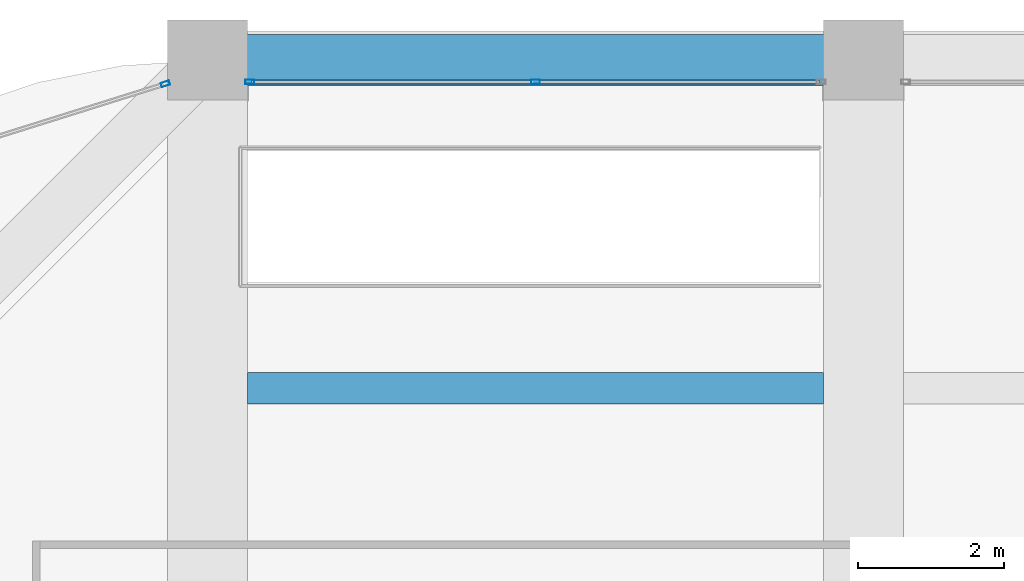
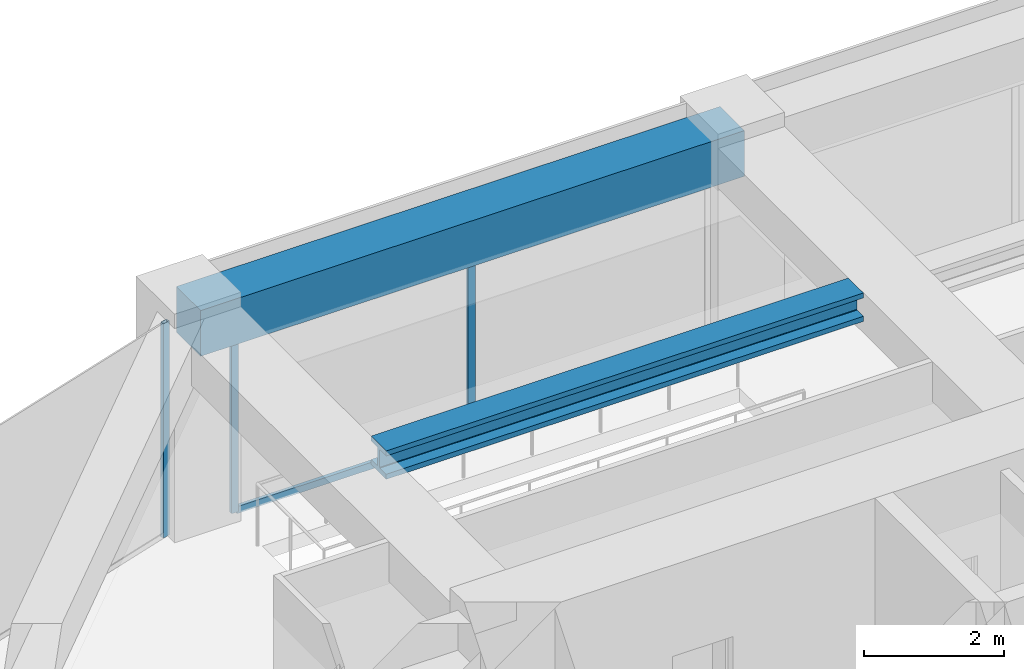
# One storey, part 31 of 44: 4 members, 2 beams, 2 elements without a shape of their own.
"""IFC4 building model written with IfcOpenShell, lengths in metres."""

from ifc_helpers import new_model, si_unit, direction, frame, origin, origin_2d, place, context, subcontext, project, spatial, rectangle, hollow_rectangle, i_section, extrude, material, material_profile, profile_set, type_object, element, aggregate, save


model = new_model("IFC4")

# Units and contexts
model_context = context("Model", 3, precision=1e-05, world=origin(), true_north=direction((0.0, 1.0)))
body_context = subcontext(model_context, "Body", "Model", "MODEL_VIEW")
ifc_project = project(units=[si_unit("LENGTHUNIT", "METRE"), si_unit("AREAUNIT", "SQUARE_METRE"), si_unit("VOLUMEUNIT", "CUBIC_METRE"), si_unit("PLANEANGLEUNIT", "RADIAN"), si_unit("MASSUNIT", "GRAM", prefix="KILO")], contexts=[model_context])

# Site, building, storey
site_placement = place(None, origin())
site = spatial("IfcSite", under=ifc_project, at=site_placement, CompositionType="ELEMENT")
building_placement = place(site_placement, origin())
building = spatial("IfcBuilding", under=site, at=building_placement, Name="Zorevar Civic Tower", CompositionType="ELEMENT")
storey_placement = place(building_placement, frame((0.0, 0.0, 275.39990234375)))
storey = spatial("IfcBuildingStorey", under=building, at=storey_placement, Name="L67", CompositionType="ELEMENT", Elevation=275.39990234375)

# Curtain wall, members
ifc_material_1 = material(Name="Dark grey solar-control glass in black aluminium frame", Category="aluminium")
curtain_wall_type = type_object("IfcCurtainWallType", Name="Curtain wall CW5 top zone", PredefinedType="NOTDEFINED", material=ifc_material_1)
curtain_wall_1_placement = place(storey_placement, origin())
curtain_wall_1 = element("IfcCurtainWall", 1, at=curtain_wall_1_placement, inside=storey, type_object=curtain_wall_type, Name="CW5 L67", PredefinedType="NOTDEFINED")
ifc_material_2 = material(Name="Aluminium, black anodised", Category="aluminium")
ifc_material_profile_1 = material_profile(ifc_material_2, hollow_rectangle(XDim=0.06005859375, YDim=0.1201171875, WallThickness=0.0029296875, at=origin_2d()), Name="AL 120x60x3")
ifc_profile_set_1 = profile_set([ifc_material_profile_1], Name="Aluminium, black anodised")
member_type_1 = type_object("IfcMemberType", Name="CW5 mullion AL 120x60x3", PredefinedType="MULLION", material=ifc_profile_set_1)
member_1_placement = place(storey_placement, frame((18.580078125, 44.699951171875, 0.0), z_axis=(0.0, 0.0, 1.0), x_axis=(0.0, 1.0, 0.0)))
member_1 = element("IfcMember", 2, at=member_1_placement, type_object=member_type_1, Name="CW5 mullion 1", PredefinedType="MULLION", context=body_context, shape_type="SweptSolid", body=[
    extrude(hollow_rectangle(XDim=0.06005859375, YDim=0.1201171875, WallThickness=0.0029296875, at=origin_2d()), origin(), (0.0, 0.0, 1.0), 2.9501953125),
])
member_2_placement = place(storey_placement, frame((22.5, 44.699951171875, 0.06005859375), z_axis=(0.0, 0.0, 1.0), x_axis=(0.0, 1.0, 0.0)))
member_2 = element("IfcMember", 3, at=member_2_placement, type_object=member_type_1, Name="CW5 mullion 2", PredefinedType="MULLION", context=body_context, shape_type="SweptSolid", body=[
    extrude(hollow_rectangle(XDim=0.06005859375, YDim=0.1201171875, WallThickness=0.0029296875, at=origin_2d()), origin(), (0.0, 0.0, 1.0), 2.89013671875),
])

# Curtain wall, member
curtain_wall_2_placement = place(storey_placement, origin())
curtain_wall_2 = element("IfcCurtainWall", 4, at=curtain_wall_2_placement, inside=storey, type_object=curtain_wall_type, Name="CW5 L67", PredefinedType="NOTDEFINED")
member_3_placement = place(storey_placement, frame((17.42138671875, 44.673583984375, 0.0), z_axis=(0.0, 0.0, 1.0), x_axis=(0.299317920238, -0.954153437674, 0.0)))
member_3 = element("IfcMember", 5, at=member_3_placement, type_object=member_type_1, Name="CW5 mullion 1", PredefinedType="MULLION", context=body_context, shape_type="SweptSolid", body=[
    extrude(hollow_rectangle(XDim=0.06005859375, YDim=0.1201171875, WallThickness=0.0029296875, at=origin_2d()), origin(), (0.0, 0.0, 1.0), 3.75),
])
aggregate(curtain_wall_2, [member_3])

# Member
ifc_material_3 = material(Name="Aluminium, black anodised", Category="aluminium")
ifc_material_profile_2 = material_profile(ifc_material_3, hollow_rectangle(XDim=0.06005859375, YDim=0.1201171875, WallThickness=0.0029296875, at=origin_2d()), Name="AL 120x60x3")
ifc_profile_set_2 = profile_set([ifc_material_profile_2], Name="Aluminium, black anodised")
member_type_2 = type_object("IfcMemberType", Name="CW5 transom AL 120x60x3", PredefinedType="USERDEFINED", material=ifc_profile_set_2)
member_4_placement = place(storey_placement, frame((18.610107421875, 44.699951171875, 0.030029296875), z_axis=(1.0, 0.0, 0.0), x_axis=(0.0, 1.0, 0.0)))
member_4 = element("IfcMember", 6, at=member_4_placement, type_object=member_type_2, Name="CW5 sill transom", ObjectType="TRANSOM", PredefinedType="USERDEFINED", context=body_context, shape_type="SweptSolid", body=[
    extrude(hollow_rectangle(XDim=0.06005859375, YDim=0.1201171875, WallThickness=0.0029296875, at=origin_2d()), origin(), (0.0, 0.0, 1.0), 7.77978515625),
])

aggregate(curtain_wall_1, [member_1, member_2, member_4])

# Beams
ifc_material_4 = material(Name="Steel S460M (HISTAR 460)", Category="steel")
ifc_material_profile_3 = material_profile(ifc_material_4, i_section(OverallWidth=0.431884765625, OverallDepth=0.498046875, WebThickness=0.0556640625, FlangeThickness=0.0888671875, FilletRadius=0.014892578125, at=origin_2d()), Name="HD 400x744")
ifc_profile_set_3 = profile_set([ifc_material_profile_3], Name="Steel S460M (HISTAR 460)")
beam_type_1 = type_object("IfcBeamType", Name="Core bay beam HD 400x744", PredefinedType="BEAM", material=ifc_profile_set_3)
beam_1_placement = place(storey_placement, frame((18.550048828125, 40.5, 3.5009765625), z_axis=(1.0, 0.0, 0.0), x_axis=(0.0, 1.0, 0.0)))
element("IfcBeam", 7, at=beam_1_placement, inside=storey, type_object=beam_type_1, Name="Secondary beam L68", PredefinedType="BEAM", context=body_context, shape_type="SweptSolid", body=[
    extrude(i_section(OverallWidth=0.431884765625, OverallDepth=0.498046875, WebThickness=0.0556640625, FlangeThickness=0.0888671875, FilletRadius=0.014892578125, at=origin_2d()), origin(), (0.0, 0.0, 1.0), 7.89990234375),
])
ifc_material_5 = material(Name="Concrete C50/60", Category="concrete")
ifc_material_profile_4 = material_profile(ifc_material_5, rectangle(XDim=0.699951171875, YDim=0.800048828125, at=origin_2d()), Name="RC 700x800")
ifc_profile_set_4 = profile_set([ifc_material_profile_4], Name="Concrete C50/60")
beam_type_2 = type_object("IfcBeamType", Name="Edge beam RC 700x800", PredefinedType="SPANDREL", material=ifc_profile_set_4)
beam_2_placement = place(storey_placement, frame((18.0, 45.0, 3.35009765625), z_axis=(1.0, 0.0, 0.0), x_axis=(0.0, 1.0, 0.0)))
element("IfcBeam", 8, at=beam_2_placement, inside=storey, type_object=beam_type_2, Name="Edge beam L68", PredefinedType="SPANDREL", context=body_context, shape_type="SweptSolid", body=[
    extrude(rectangle(XDim=0.699951171875, YDim=0.800048828125, at=origin_2d()), origin(), (0.0, 0.0, 1.0), 9.0),
])

save(model, "model.ifc")
